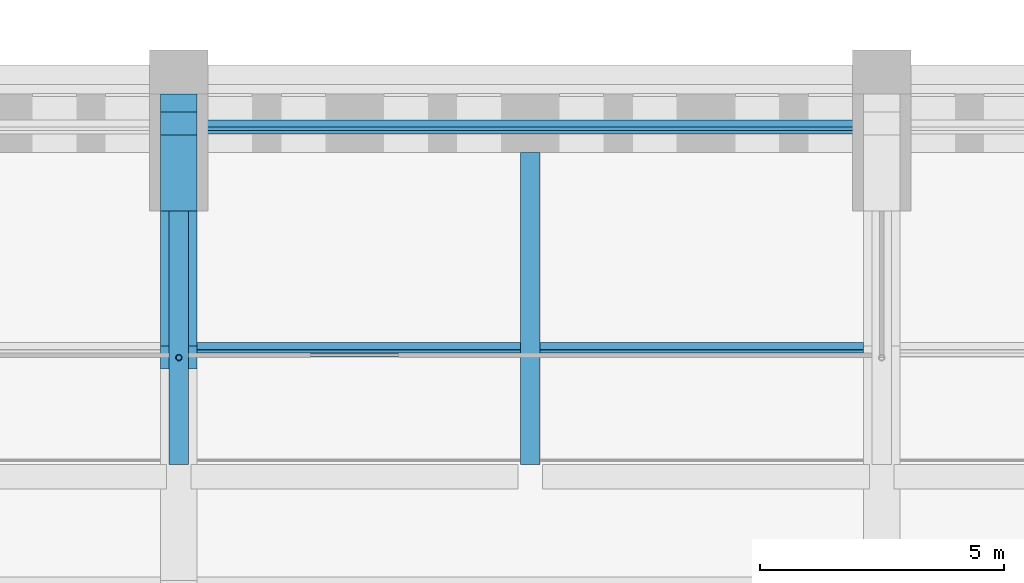
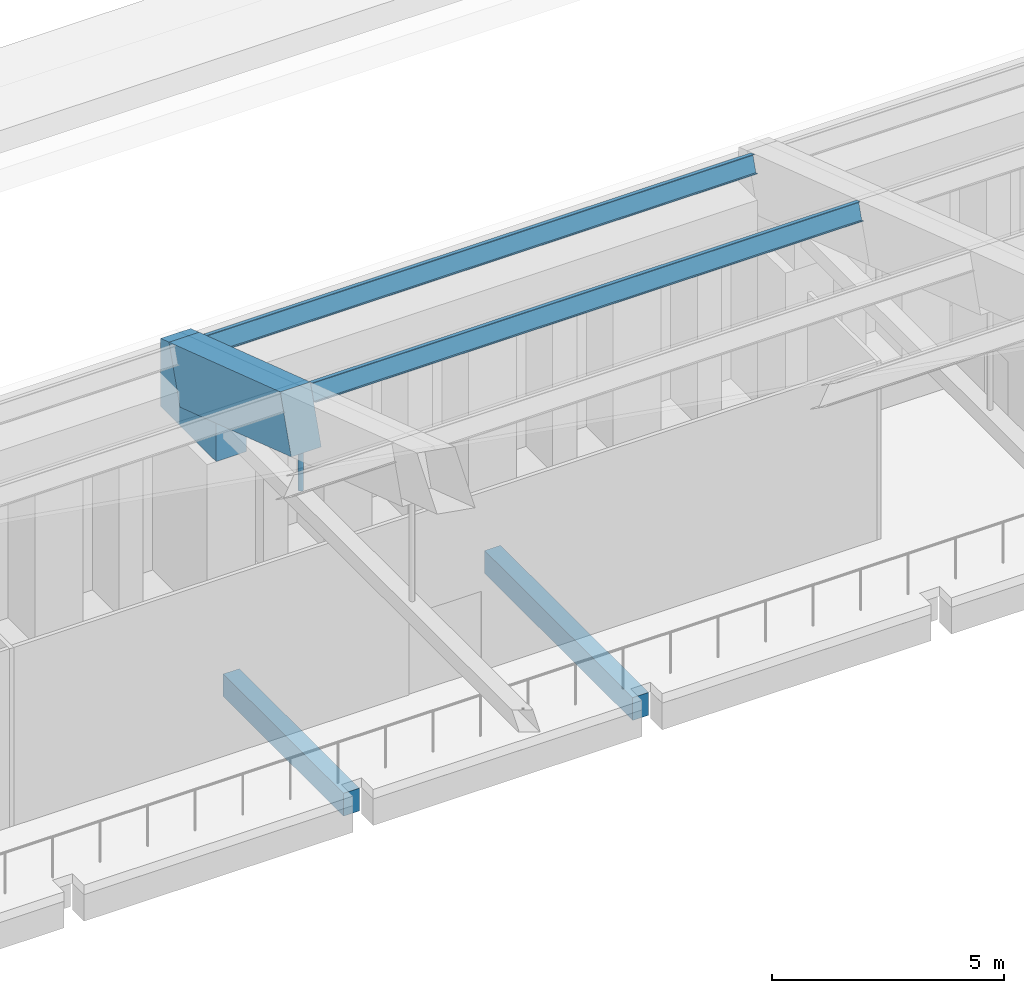
# One storey, part 88 of 149: 4 members, 3 beams.
"""IFC4 building model written with IfcOpenShell, lengths in metres."""

from ifc_helpers import new_model, si_unit, direction, frame, origin, origin_2d, place, context, subcontext, project, spatial, polyline, rectangle, hollow_circle, i_section, outline, extrude, material, material_profile, profile_set, type_object, element, save


model = new_model("IFC4")

# Units and contexts
model_context = context("Model", 3, precision=1e-05, world=origin(), true_north=direction((0.0, 1.0)))
body_context = subcontext(model_context, "Body", "Model", "MODEL_VIEW")
ifc_project = project(units=[si_unit("LENGTHUNIT", "METRE"), si_unit("AREAUNIT", "SQUARE_METRE"), si_unit("VOLUMEUNIT", "CUBIC_METRE"), si_unit("PLANEANGLEUNIT", "RADIAN"), si_unit("MASSUNIT", "GRAM", prefix="KILO")], contexts=[model_context])

# Site, building, storey
site_placement = place(None, origin())
site = spatial("IfcSite", under=ifc_project, at=site_placement, CompositionType="ELEMENT")
building_placement = place(site_placement, origin())
building = spatial("IfcBuilding", under=site, at=building_placement, Name="Alderwick Market Hall", CompositionType="ELEMENT")
storey_placement = place(building_placement, frame((0.0, 0.0, 9.60009765625)))
storey = spatial("IfcBuildingStorey", under=building, at=storey_placement, Name="L01", CompositionType="ELEMENT", Elevation=9.60009765625)

# Beams
ifc_material_1 = material(Name="Concrete 5000 psi (f'c 35 MPa)", Category="concrete")
ifc_material_profile_1 = material_profile(ifc_material_1, rectangle(XDim=0.39990234375, YDim=0.60009765625, at=origin_2d()), Name="RC 400x600")
ifc_profile_set_1 = profile_set([ifc_material_profile_1], Name="Concrete 5000 psi (f'c 35 MPa)")
beam_type_1 = type_object("IfcBeamType", Name="H Gallery beam 400x600", PredefinedType="BEAM", material=ifc_profile_set_1)
beam_1_placement = place(storey_placement, frame((122.39990234375, 106.199951171875, -0.550048828125), z_axis=(0.0, -1.0, 0.0), x_axis=(1.0, 0.0, 0.0)))
element("IfcBeam", 1, at=beam_1_placement, inside=storey, type_object=beam_type_1, Name="Gallery beam N", PredefinedType="BEAM", context=body_context, shape_type="SweptSolid", body=[
    extrude(rectangle(XDim=0.39990234375, YDim=0.60009765625, at=origin_2d()), origin(), (0.0, 0.0, 1.0), 5.18994140625),
])
beam_2_placement = place(storey_placement, frame((129.60009765625, 107.39990234375, -0.550048828125), z_axis=(0.0, -1.0, 0.0), x_axis=(1.0, 0.0, 0.0)))
element("IfcBeam", 2, at=beam_2_placement, inside=storey, type_object=beam_type_1, Name="Gallery beam N", PredefinedType="BEAM", context=body_context, shape_type="SweptSolid", body=[
    extrude(rectangle(XDim=0.39990234375, YDim=0.60009765625, at=origin_2d()), origin(), (0.0, 0.0, 1.0), 6.389892578125),
])
ifc_material_profile_2 = material_profile(ifc_material_1, rectangle(XDim=0.75, YDim=1.5, at=origin_2d()), Name="RC 750x1500")
ifc_profile_set_2 = profile_set([ifc_material_profile_2], Name="Concrete 5000 psi (f'c 35 MPa)")
beam_type_2 = type_object("IfcBeamType", Name="R Arch Rib Springing 750x1500", PredefinedType="BEAM", material=ifc_profile_set_2)
beam_3_placement = place(storey_placement, frame((122.39990234375, 103.199951171875, 8.199951171875), z_axis=(0.0, 0.948678472761, -0.316242241517), x_axis=(-1.0, 0.0, 0.0)))
element("IfcBeam", 3, at=beam_3_placement, inside=storey, type_object=beam_type_2, Name="Arch rib 6 chord 12", PredefinedType="BEAM", context=body_context, shape_type="SweptSolid", body=[
    extrude(rectangle(XDim=0.75, YDim=1.5, at=origin_2d()), origin(), (0.0, 0.0, 1.0), 5.059814453125),
])

# Members
ifc_material_2 = material(Name="Steel ASTM A500 Grade C", Category="steel")
ifc_material_profile_3 = material_profile(ifc_material_2, hollow_circle(Radius=0.0634765625, WallThickness=0.005859375, at=origin_2d()), Name="HSS5.000x0.250")
ifc_profile_set_3 = profile_set([ifc_material_profile_3], Name="Steel ASTM A500 Grade C")
member_type_1 = type_object("IfcMemberType", Name="R Hanger HSS5.000x0.250", PredefinedType="POST", material=ifc_profile_set_3)
member_1_placement = place(storey_placement, frame((122.39990234375, 103.199951171875, 6.35302734375), z_axis=(0.0, 0.0, 1.0), x_axis=(1.0, 0.0, 0.0)))
element("IfcMember", 4, at=member_1_placement, inside=storey, type_object=member_type_1, Name="Arch hanger 6.11", PredefinedType="POST", context=body_context, shape_type="SweptSolid", body=[
    extrude(hollow_circle(Radius=0.0634765625, WallThickness=0.005859375, at=origin_2d()), origin(), (0.0, 0.0, 1.0), 1.03515625),
])
ifc_material_3 = material(Name="Steel ASTM A992 Grade 50", Category="steel")
ifc_material_profile_4 = material_profile(ifc_material_3, i_section(OverallWidth=0.153076171875, OverallDepth=0.455078125, WebThickness=0.008056640625, FlangeThickness=0.01318359375, at=origin_2d()), Name="W18x40")
ifc_profile_set_4 = profile_set([ifc_material_profile_4], Name="Steel ASTM A992 Grade 50")
member_type_2 = type_object("IfcMemberType", Name="R Purlin W18x40", PredefinedType="PURLIN", material=ifc_profile_set_4)
for number, where, z_axis, x_axis, name in (
    (5, (122.77490234375, 103.36328125, 8.68994140625), (1.0, 0.0, 0.0), (0.0, 0.948683297073, -0.316227768949), "Roof purlin 12.6"),
    (6, (122.77490234375, 107.92626953125, 7.1689453125), (1.0, 0.0, 0.0), (0.0, 0.948683297073, -0.316227768949), "Roof purlin 13.6"),
):
    element("IfcMember", number, at=place(storey_placement, frame(where, z_axis=z_axis, x_axis=x_axis)), inside=storey, type_object=member_type_2, Name=name, PredefinedType="PURLIN", context=body_context, shape_type="SweptSolid", body=[
        extrude(i_section(OverallWidth=0.153076171875, OverallDepth=0.455078125, WebThickness=0.008056640625, FlangeThickness=0.01318359375, at=origin_2d()), origin(), (0.0, 0.0, 1.0), 13.650146484375),
    ])
ifc_material_profile_5 = material_profile(ifc_material_1, outline(polyline([(0.0, 0.0), (-2.39990234375, 0.0), (-2.39990234375, 1.009521484375), (-0.837158203125, 0.488525390625), (-0.36279296875, 1.91162109375), (0.0, 1.79052734375), (0.0, 0.0)])), Name="RC skewback N")
ifc_profile_set_5 = profile_set([ifc_material_profile_5], Name="Concrete 5000 psi (f'c 35 MPa)")
member_type_3 = type_object("IfcMemberType", Name="R Springing Skewback North", PredefinedType="MEMBER", material=ifc_profile_set_5)
member_2_placement = place(storey_placement, frame((122.02490234375, 108.60009765625, 5.39990234375), z_axis=(1.0, 0.0, 0.0), x_axis=(0.0, 1.0, 0.0)))
element("IfcMember", 7, at=member_2_placement, inside=storey, type_object=member_type_3, Name="Springing skewback N6", PredefinedType="MEMBER", context=body_context, shape_type="SweptSolid", body=[
    extrude(outline(polyline([(0.0, 0.0), (-2.39990234375, 0.0), (-2.39990234375, 1.009521484375), (-0.837158203125, 0.488525390625), (-0.36279296875, 1.91162109375), (0.0, 1.79052734375), (0.0, 0.0)])), origin(), (0.0, 0.0, 1.0), 0.75),
])

save(model, "model.ifc")
